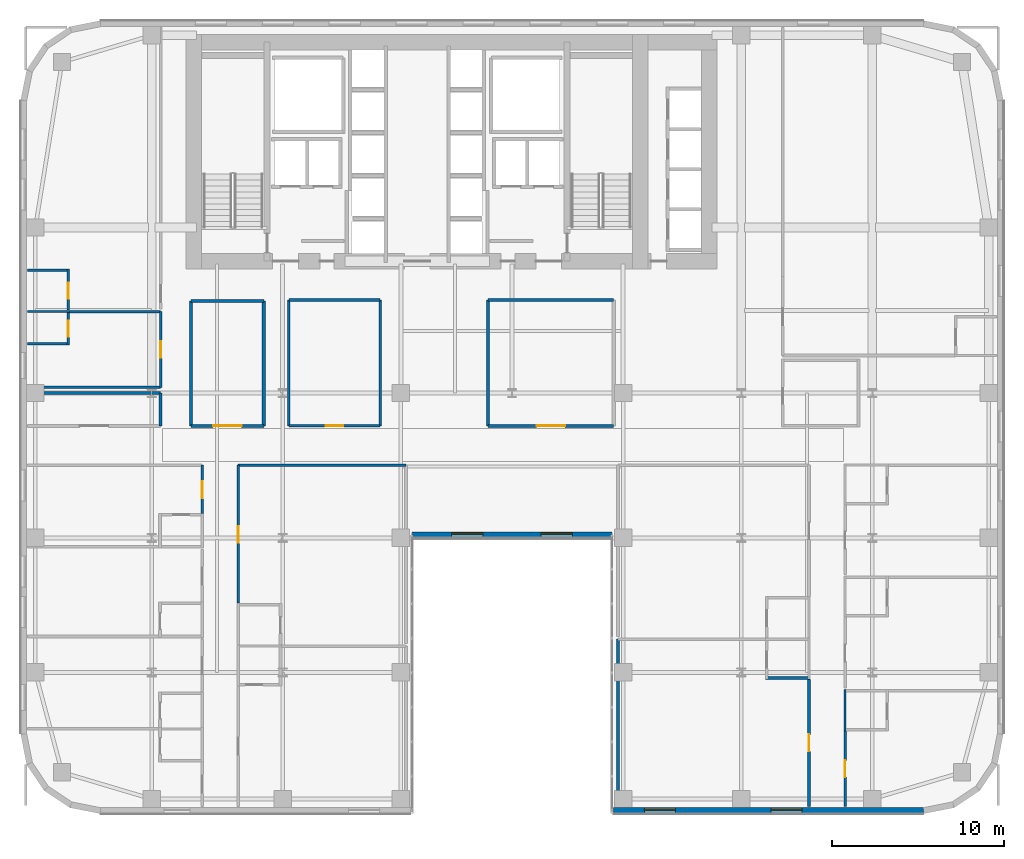
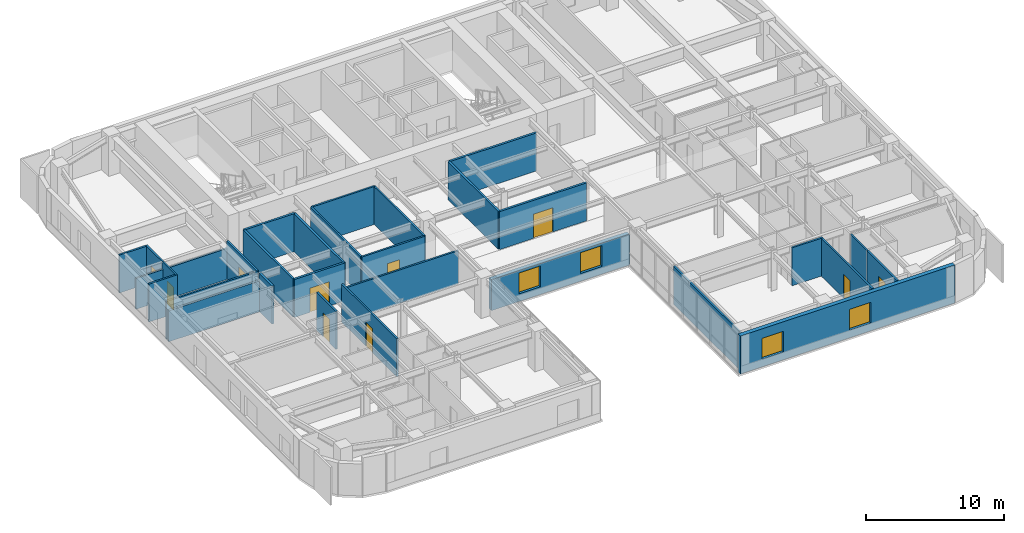
# One storey, part 15 of 25: 31 walls, 10 doors, 4 windows, 14 openings.
"""IFC4 building model written with IfcOpenShell, lengths in metres."""

from ifc_helpers import new_model, si_unit, direction, frame, frame_2d, origin, place, context, subcontext, project, spatial, rectangle, extrude, source, transform, mapped, material, layer, layer_set, type_object, type_shapes, element, fill, save


model = new_model("IFC4")

# Units and contexts
model_context = context("Model", 3, precision=1e-05, world=origin(), true_north=direction((0.0, 1.0)))
body_context = subcontext(model_context, "Body", "Model", "MODEL_VIEW")
ifc_project = project(units=[si_unit("LENGTHUNIT", "METRE"), si_unit("AREAUNIT", "SQUARE_METRE"), si_unit("VOLUMEUNIT", "CUBIC_METRE"), si_unit("PLANEANGLEUNIT", "RADIAN"), si_unit("MASSUNIT", "GRAM", prefix="KILO")], contexts=[model_context])

# Site, building, storey
site_placement = place(None, origin())
site = spatial("IfcSite", under=ifc_project, at=site_placement, CompositionType="ELEMENT")
building_placement = place(site_placement, origin())
building = spatial("IfcBuilding", under=site, at=building_placement, Name="Tolvann Quenvar Hotel", CompositionType="ELEMENT")
storey_placement = place(building_placement, frame((0.0, 0.0, 60.39990234375)))
storey = spatial("IfcBuildingStorey", under=building, at=storey_placement, Name="L14", CompositionType="ELEMENT", Elevation=60.39990234375)

# Wall, openings, windows
ifc_material_1 = material(Name="Kiln-fired red and buff architectural clay brickwork and terracotta masonry", Category="masonry")
ifc_layer_1 = layer(ifc_material_1, 0.35009765625)
ifc_layer_set_1 = layer_set([ifc_layer_1], Name="Kiln-fired red and buff architectural clay brickwork and terracotta masonry")
wall_type_1 = type_object("IfcWallType", Name="WALL_EXT_BRICK_350", PredefinedType="SOLIDWALL", material=ifc_layer_set_1)
wall_1_placement = place(storey_placement, frame((22.7099609375, 16.175048828125, 0.0), z_axis=(0.0, 0.0, 1.0), x_axis=(1.0, 0.0, 0.0)))
wall_1 = element("IfcWall", 1, at=wall_1_placement, inside=storey, type_object=wall_type_1, Name="Exterior Chicago Brick Wall L14-E06", PredefinedType="SOLIDWALL", context=body_context, shape_type="SweptSolid", body=[
    extrude(rectangle(XDim=11.580078125, YDim=0.35009765625, at=frame_2d((5.7900390625, 0.0))), origin(), (0.0, 0.0, 1.0), 2.748046875),
])
opening_1_placement = place(wall_1_placement, frame((2.294921875, 0.0, 0.679931640625)))
opening_1 = element("IfcOpeningElement", 2, at=opening_1_placement, cuts=wall_1, Name="Opening W-03", PredefinedType="OPENING", context=body_context, shape_type="SweptSolid", body=[
    extrude(rectangle(XDim=1.800048828125, YDim=1.85009765625, at=frame_2d((0.89990234375, 0.925048828125))), frame((0.0, 0.18505859375, 0.0), z_axis=(0.0, -1.0, 0.0), x_axis=(1.0, 0.0, 0.0)), (0.0, 0.0, 1.0), 0.3701171875),
])
opening_2_placement = place(wall_1_placement, frame((7.485107421875, 0.0, 0.679931640625)))
opening_2 = element("IfcOpeningElement", 3, at=opening_2_placement, cuts=wall_1, Name="Opening W-03", PredefinedType="OPENING", context=body_context, shape_type="SweptSolid", body=[
    extrude(rectangle(XDim=1.800048828125, YDim=1.85009765625, at=frame_2d((0.89990234375, 0.925048828125))), frame((0.0, 0.18505859375, 0.0), z_axis=(0.0, -1.0, 0.0), x_axis=(1.0, 0.0, 0.0)), (0.0, 0.0, 1.0), 0.3701171875),
])
ifc_material_2 = material(Name="Thermally broken bronze-anodised aluminium frame with double low-E glazing", Category="aluminium")
window_type = type_object("IfcWindowType", Name="WIN_CHI_1800x2050", PartitioningType="TRIPLE_PANEL_HORIZONTAL", PredefinedType="WINDOW", material=ifc_material_2)
shared_shape_1 = source(origin(), body_context, "Body", "SweptSolid", [
    extrude(rectangle(XDim=1.800048828125, YDim=1.85009765625, at=frame_2d((0.89990234375, 0.925048828125))), frame((0.0, 0.090087890625, 0.0), z_axis=(0.0, -1.0, 0.0), x_axis=(1.0, 0.0, 0.0)), (0.0, 0.0, 1.0), 0.06005859375),
])
type_shapes(window_type, [shared_shape_1])
window_1_placement = place(opening_1_placement, origin())
window_1 = element("IfcWindow", 4, at=window_1_placement, inside=storey, type_object=window_type, Name="Chicago Window W-03 (EW-L14-E06-W01)", OverallHeight=1.85009765625, OverallWidth=1.800048828125, PartitioningType="TRIPLE_PANEL_HORIZONTAL", PredefinedType="WINDOW", context=body_context, shape_type="MappedRepresentation", body=[
    mapped(shared_shape_1, transform((0.0, 0.0, 0.0), x_axis=(1.0, 0.0, 0.0), y_axis=(0.0, 1.0, 0.0), z_axis=(0.0, 0.0, 1.0), scale=1.0)),
])
fill(opening_1, window_1)
window_2_placement = place(opening_2_placement, origin())
window_2 = element("IfcWindow", 5, at=window_2_placement, inside=storey, type_object=window_type, Name="Chicago Window W-03 (EW-L14-E06-W02)", OverallHeight=1.85009765625, OverallWidth=1.800048828125, PartitioningType="TRIPLE_PANEL_HORIZONTAL", PredefinedType="WINDOW", context=body_context, shape_type="MappedRepresentation", body=[
    mapped(shared_shape_1, transform((0.0, 0.0, 0.0), x_axis=(1.0, 0.0, 0.0), y_axis=(0.0, 1.0, 0.0), z_axis=(0.0, 0.0, 1.0), scale=1.0)),
])
fill(opening_2, window_2)

wall_2_placement = place(storey_placement, frame((34.375, 0.175048828125, 0.0), z_axis=(0.0, 0.0, 1.0), x_axis=(1.0, 0.0, 0.0)))
wall_2 = element("IfcWall", 6, at=wall_2_placement, inside=storey, type_object=wall_type_1, Name="Exterior Chicago Brick Wall L14-E08", PredefinedType="SOLIDWALL", context=body_context, shape_type="SweptSolid", body=[
    extrude(rectangle(XDim=18.0078125, YDim=0.35009765625, at=frame_2d((9.00390625, 0.0))), origin(), (0.0, 0.0, 1.0), 3.3701171875),
])
opening_3_placement = place(wall_2_placement, frame((1.801025390625, 0.0, 0.679931640625)))
opening_3 = element("IfcOpeningElement", 7, at=opening_3_placement, cuts=wall_2, Name="Opening W-03", PredefinedType="OPENING", context=body_context, shape_type="SweptSolid", body=[
    extrude(rectangle(XDim=1.800048828125, YDim=1.85009765625, at=frame_2d((0.89990234375, 0.925048828125))), frame((0.0, 0.18505859375, 0.0), z_axis=(0.0, -1.0, 0.0), x_axis=(1.0, 0.0, 0.0)), (0.0, 0.0, 1.0), 0.3701171875),
])
opening_4_placement = place(wall_2_placement, frame((9.155029296875, 0.0, 0.679931640625)))
opening_4 = element("IfcOpeningElement", 8, at=opening_4_placement, cuts=wall_2, Name="Opening W-03", PredefinedType="OPENING", context=body_context, shape_type="SweptSolid", body=[
    extrude(rectangle(XDim=1.800048828125, YDim=1.85009765625, at=frame_2d((0.89990234375, 0.925048828125))), frame((0.0, 0.18505859375, 0.0), z_axis=(0.0, -1.0, 0.0), x_axis=(1.0, 0.0, 0.0)), (0.0, 0.0, 1.0), 0.3701171875),
])
window_3_placement = place(opening_3_placement, origin())
window_3 = element("IfcWindow", 9, at=window_3_placement, inside=storey, type_object=window_type, Name="Chicago Window W-03 (EW-L14-E08-W01)", OverallHeight=1.85009765625, OverallWidth=1.800048828125, PartitioningType="TRIPLE_PANEL_HORIZONTAL", PredefinedType="WINDOW", context=body_context, shape_type="MappedRepresentation", body=[
    mapped(shared_shape_1, transform((0.0, 0.0, 0.0), x_axis=(1.0, 0.0, 0.0), y_axis=(0.0, 1.0, 0.0), z_axis=(0.0, 0.0, 1.0), scale=1.0)),
])
fill(opening_3, window_3)
window_4_placement = place(opening_4_placement, origin())
window_4 = element("IfcWindow", 10, at=window_4_placement, inside=storey, type_object=window_type, Name="Chicago Window W-03 (EW-L14-E08-W02)", OverallHeight=1.85009765625, OverallWidth=1.800048828125, PartitioningType="TRIPLE_PANEL_HORIZONTAL", PredefinedType="WINDOW", context=body_context, shape_type="MappedRepresentation", body=[
    mapped(shared_shape_1, transform((0.0, 0.0, 0.0), x_axis=(1.0, 0.0, 0.0), y_axis=(0.0, 1.0, 0.0), z_axis=(0.0, 0.0, 1.0), scale=1.0)),
])
fill(opening_4, window_4)

# Walls
ifc_material_3 = material(Name="Acoustic twin-stud fire-rated gypsum plasterboard partition")
ifc_layer_2 = layer(ifc_material_3, 0.179931640625)
ifc_layer_set_2 = layer_set([ifc_layer_2], Name="Acoustic twin-stud fire-rated gypsum plasterboard partition")
wall_type_2 = type_object("IfcWallType", Name="WALL_PART_ACOUSTIC_180", PredefinedType="PARTITIONING", material=ifc_layer_set_2)
wall_3_placement = place(storey_placement, frame((0.405029296875, 24.39990234375, 0.0), z_axis=(0.0, 0.0, 1.0), x_axis=(1.0, 0.0, 0.0)))
element("IfcWall", 11, at=wall_3_placement, inside=storey, type_object=wall_type_2, Name="Interior Partition PT-SPC-L14-SAL-N", PredefinedType="PARTITIONING", context=body_context, shape_type="SweptSolid", body=[
    extrude(rectangle(XDim=7.715087890625, YDim=0.179931640625, at=frame_2d((3.857421875, 0.0))), origin(), (0.0, 0.0, 1.0), 2.748046875),
])
wall_4_placement = place(storey_placement, frame((8.1201171875, 22.5, 0.0), z_axis=(0.0, 0.0, 1.0), x_axis=(0.0, 1.0, 0.0)))
element("IfcWall", 12, at=wall_4_placement, inside=storey, type_object=wall_type_2, Name="Interior Partition PT-SPC-L14-SAL-E", PredefinedType="PARTITIONING", context=body_context, shape_type="SweptSolid", body=[
    extrude(rectangle(XDim=1.89990234375, YDim=0.179931640625, at=frame_2d((0.949951171875, 0.0))), origin(), (0.0, 0.0, 1.0), 3.3701171875),
])

# Wall, opening, door
wall_5_placement = place(storey_placement, frame((9.8798828125, 22.5, 0.0), z_axis=(0.0, 0.0, 1.0), x_axis=(1.0, 0.0, 0.0)))
wall_5 = element("IfcWall", 13, at=wall_5_placement, inside=storey, type_object=wall_type_2, Name="Interior Partition PT-SPC-L14-MSP-W-S", PredefinedType="PARTITIONING", context=body_context, shape_type="SweptSolid", body=[
    extrude(rectangle(XDim=4.22021484375, YDim=0.179931640625, at=frame_2d((2.110107421875, 0.0))), origin(), (0.0, 0.0, 1.0), 3.3701171875),
])
opening_5_placement = place(wall_5_placement, frame((1.284912109375, 0.0, 0.0)))
opening_5 = element("IfcOpeningElement", 14, at=opening_5_placement, cuts=wall_5, Name="Opening AD-01", PredefinedType="OPENING", context=body_context, shape_type="SweptSolid", body=[
    extrude(rectangle(XDim=1.64990234375, YDim=2.14990234375, at=frame_2d((0.824951171875, 1.074951171875))), frame((0.0, 0.10009765625, 0.0), z_axis=(0.0, -1.0, 0.0), x_axis=(1.0, 0.0, 0.0)), (0.0, 0.0, 1.0), 0.199951171875),
])
ifc_material_4 = material(Name="Solid-core American oak acoustic fire door leaf in steel frame", Category="steel")
door_type_1 = type_object("IfcDoorType", Name="DOOR_SALON_1650", OperationType="NOTDEFINED", PredefinedType="DOOR", material=ifc_material_4)
shared_shape_2 = source(origin(), body_context, "Body", "SweptSolid", [
    extrude(rectangle(XDim=1.64990234375, YDim=2.14990234375, at=frame_2d((0.824951171875, 1.074951171875))), frame((0.0, 0.02490234375, 0.0), z_axis=(0.0, -1.0, 0.0), x_axis=(1.0, 0.0, 0.0)), (0.0, 0.0, 1.0), 0.050048828125),
])
type_shapes(door_type_1, [shared_shape_2])
door_1_placement = place(opening_5_placement, origin())
door_1 = element("IfcDoor", 15, at=door_1_placement, inside=storey, type_object=door_type_1, Name="Interior Door DOOR-SPC-L14-MSP-W", OperationType="DOUBLE_DOOR_SINGLE_SWING", OverallHeight=2.14990234375, OverallWidth=1.64990234375, PredefinedType="DOOR", context=body_context, shape_type="MappedRepresentation", body=[
    mapped(shared_shape_2, transform((0.0, 0.0, 0.0), x_axis=(1.0, 0.0, 0.0), y_axis=(0.0, 1.0, 0.0), z_axis=(0.0, 0.0, 1.0), scale=1.0)),
])
fill(opening_5, door_1)

# Walls
wall_6_placement = place(storey_placement, frame((9.8798828125, 29.75, 0.0), z_axis=(0.0, 0.0, 1.0), x_axis=(1.0, 0.0, 0.0)))
element("IfcWall", 16, at=wall_6_placement, inside=storey, type_object=wall_type_2, Name="Interior Partition PT-SPC-L14-MSP-W-N", PredefinedType="PARTITIONING", context=body_context, shape_type="SweptSolid", body=[
    extrude(rectangle(XDim=4.22021484375, YDim=0.179931640625, at=frame_2d((2.110107421875, 0.0))), origin(), (0.0, 0.0, 1.0), 3.3701171875),
])
for number, where, z_axis, x_axis, name in (
    (17, (9.8798828125, 22.5, 0.0), (0.0, 0.0, 1.0), (0.0, 1.0, 0.0), "Interior Partition PT-SPC-L14-MSP-W-W"),
    (18, (14.10009765625, 22.5, 0.0), (0.0, 0.0, 1.0), (0.0, 1.0, 0.0), "Interior Partition PT-SPC-L14-MSP-W-E"),
):
    element("IfcWall", number, at=place(storey_placement, frame(where, z_axis=z_axis, x_axis=x_axis)), inside=storey, type_object=wall_type_2, Name=name, PredefinedType="PARTITIONING", context=body_context, shape_type="SweptSolid", body=[
        extrude(rectangle(XDim=7.25, YDim=0.179931640625, at=frame_2d((3.625, 0.0))), origin(), (0.0, 0.0, 1.0), 3.3701171875),
    ])

# Wall, opening, door
wall_7_placement = place(storey_placement, frame((27.10009765625, 22.5, 0.0), z_axis=(0.0, 0.0, 1.0), x_axis=(1.0, 0.0, 0.0)))
wall_7 = element("IfcWall", 19, at=wall_7_placement, inside=storey, type_object=wall_type_2, Name="Interior Partition PT-SPC-L14-MSP-C-S", PredefinedType="PARTITIONING", context=body_context, shape_type="SweptSolid", body=[
    extrude(rectangle(XDim=7.2998046875, YDim=0.179931640625, at=frame_2d((3.64990234375, 0.0))), origin(), (0.0, 0.0, 1.0), 3.3701171875),
])
opening_6_placement = place(wall_7_placement, frame((2.824951171875, 0.0, 0.0)))
opening_6 = element("IfcOpeningElement", 20, at=opening_6_placement, cuts=wall_7, Name="Opening AD-01", PredefinedType="OPENING", context=body_context, shape_type="SweptSolid", body=[
    extrude(rectangle(XDim=1.64990234375, YDim=2.14990234375, at=frame_2d((0.824951171875, 1.074951171875))), frame((0.0, 0.10009765625, 0.0), z_axis=(0.0, -1.0, 0.0), x_axis=(1.0, 0.0, 0.0)), (0.0, 0.0, 1.0), 0.199951171875),
])
door_2_placement = place(opening_6_placement, origin())
door_2 = element("IfcDoor", 21, at=door_2_placement, inside=storey, type_object=door_type_1, Name="Interior Door DOOR-SPC-L14-MSP-C", OperationType="DOUBLE_DOOR_SINGLE_SWING", OverallHeight=2.14990234375, OverallWidth=1.64990234375, PredefinedType="DOOR", context=body_context, shape_type="MappedRepresentation", body=[
    mapped(shared_shape_2, transform((0.0, 0.0, 0.0), x_axis=(1.0, 0.0, 0.0), y_axis=(0.0, 1.0, 0.0), z_axis=(0.0, 0.0, 1.0), scale=1.0)),
])
fill(opening_6, door_2)

# Walls
wall_8_placement = place(storey_placement, frame((27.10009765625, 29.800048828125, 0.0), z_axis=(0.0, 0.0, 1.0), x_axis=(1.0, 0.0, 0.0)))
element("IfcWall", 22, at=wall_8_placement, inside=storey, type_object=wall_type_2, Name="Interior Partition PT-SPC-L14-MSP-C-N", PredefinedType="PARTITIONING", context=body_context, shape_type="SweptSolid", body=[
    extrude(rectangle(XDim=7.2998046875, YDim=0.179931640625, at=frame_2d((3.64990234375, 0.0))), origin(), (0.0, 0.0, 1.0), 3.3701171875),
])
wall_9_placement = place(storey_placement, frame((27.10009765625, 22.5, 0.0), z_axis=(0.0, 0.0, 1.0), x_axis=(0.0, 1.0, 0.0)))
element("IfcWall", 23, at=wall_9_placement, inside=storey, type_object=wall_type_2, Name="Interior Partition PT-SPC-L14-MSP-C-W", PredefinedType="PARTITIONING", context=body_context, shape_type="SweptSolid", body=[
    extrude(rectangle(XDim=7.300048828125, YDim=0.179931640625, at=frame_2d((3.64990234375, 0.0))), origin(), (0.0, 0.0, 1.0), 3.3701171875),
])
ifc_material_5 = material(Name="Moisture-resistant acoustic plumbing wall assembly")
ifc_layer_3 = layer(ifc_material_5, 0.1201171875)
ifc_layer_set_3 = layer_set([ifc_layer_3], Name="Moisture-resistant acoustic plumbing wall assembly")
wall_type_3 = type_object("IfcWallType", Name="WALL_PART_BATH_120", PredefinedType="PLUMBINGWALL", material=ifc_layer_set_3)
wall_10_placement = place(storey_placement, frame((47.820068359375, 4.800048828125, 0.0), z_axis=(0.0, 0.0, 1.0), x_axis=(0.0, 1.0, 0.0)))
element("IfcWall", 24, at=wall_10_placement, inside=storey, type_object=wall_type_3, Name="Non-Rated Plumbing Partition PT-SPC-L14-ENS-EO01-W", PredefinedType="PLUMBINGWALL", context=body_context, shape_type="SweptSolid", body=[
    extrude(rectangle(XDim=2.389892578125, YDim=0.1201171875, at=frame_2d((1.19482421875, 0.0))), origin(), (0.0, 0.0, 1.0), 3.3701171875),
])
wall_11_placement = place(storey_placement, frame((0.405029296875, 29.1201171875, 0.0), z_axis=(0.0, 0.0, 1.0), x_axis=(1.0, 0.0, 0.0)))
element("IfcWall", 25, at=wall_11_placement, inside=storey, type_object=wall_type_3, Name="Non-Rated Plumbing Partition PT-SPC-L14-ENS-NW01-N", PredefinedType="PLUMBINGWALL", context=body_context, shape_type="SweptSolid", body=[
    extrude(rectangle(XDim=2.4150390625, YDim=0.1201171875, at=frame_2d((1.20751953125, 0.0))), origin(), (0.0, 0.0, 1.0), 2.748046875),
])
ifc_layer_4 = layer(ifc_material_3, 0.14990234375)
ifc_layer_set_4 = layer_set([ifc_layer_4], Name="Acoustic twin-stud fire-rated gypsum plasterboard partition")
wall_type_4 = type_object("IfcWallType", Name="WALL_PART_SUITE_150", PredefinedType="PARTITIONING", material=ifc_layer_set_4)
wall_12_placement = place(storey_placement, frame((43.2099609375, 7.8701171875, 0.0), z_axis=(0.0, 0.0, 1.0), x_axis=(1.0, 0.0, 0.0)))
element("IfcWall", 26, at=wall_12_placement, inside=storey, type_object=wall_type_4, Name="Interior Partition PT-SPC-L14-ENS-EI01-S", PredefinedType="PARTITIONING", context=body_context, shape_type="SweptSolid", body=[
    extrude(rectangle(XDim=2.590087890625, YDim=0.14990234375, at=frame_2d((1.294921875, 0.0))), origin(), (0.0, 0.0, 1.0), 3.3701171875),
])

# Wall, opening, door
wall_13_placement = place(storey_placement, frame((2.75, 27.199951171875, 0.0), z_axis=(0.0, 0.0, 1.0), x_axis=(0.0, 1.0, 0.0)))
wall_13 = element("IfcWall", 27, at=wall_13_placement, inside=storey, type_object=wall_type_4, Name="Interior Partition PT-SPC-L14-ENS-NW01-ENT", PredefinedType="PARTITIONING", context=body_context, shape_type="SweptSolid", body=[
    extrude(rectangle(XDim=1.989990234375, YDim=0.14990234375, at=frame_2d((0.9951171875, 0.0))), origin(), (0.0, 0.0, 1.0), 3.3701171875),
])
opening_7_placement = place(wall_13_placement, frame((0.465087890625, 0.0, 0.0)))
opening_7 = element("IfcOpeningElement", 28, at=opening_7_placement, cuts=wall_13, Name="Opening WD-01", PredefinedType="OPENING", context=body_context, shape_type="SweptSolid", body=[
    extrude(rectangle(XDim=0.919921875, YDim=2.010009765625, at=frame_2d((0.4599609375, 1.0048828125))), frame((0.0, 0.0849609375, 0.0), z_axis=(0.0, -1.0, 0.0), x_axis=(1.0, 0.0, 0.0)), (0.0, 0.0, 1.0), 0.169921875),
])
door_type_2 = type_object("IfcDoorType", Name="DOOR_WC_920", OperationType="NOTDEFINED", PredefinedType="DOOR", material=ifc_material_4)
shared_shape_3 = source(origin(), body_context, "Body", "SweptSolid", [
    extrude(rectangle(XDim=0.919921875, YDim=2.010009765625, at=frame_2d((0.4599609375, 1.0048828125))), frame((0.0, 0.02490234375, 0.0), z_axis=(0.0, -1.0, 0.0), x_axis=(1.0, 0.0, 0.0)), (0.0, 0.0, 1.0), 0.050048828125),
])
type_shapes(door_type_2, [shared_shape_3])
door_3_placement = place(opening_7_placement, origin())
door_3 = element("IfcDoor", 29, at=door_3_placement, inside=storey, type_object=door_type_2, Name="Interior Door DOOR-SPC-L14-ENS-NW01", OperationType="SINGLE_SWING_LEFT", OverallHeight=2.010009765625, OverallWidth=0.919921875, PredefinedType="DOOR", context=body_context, shape_type="MappedRepresentation", body=[
    mapped(shared_shape_3, transform((0.0, 0.0, 0.0), x_axis=(1.0, 0.0, 0.0), y_axis=(0.0, 1.0, 0.0), z_axis=(0.0, 0.0, 1.0), scale=1.0)),
])
fill(opening_7, door_3)

# Wall
wall_14_placement = place(storey_placement, frame((0.405029296875, 27.27001953125, 0.0), z_axis=(0.0, 0.0, 1.0), x_axis=(1.0, 0.0, 0.0)))
element("IfcWall", 30, at=wall_14_placement, inside=storey, type_object=wall_type_4, Name="Interior Partition PT-SPC-L14-ENS-NW01-S", PredefinedType="PARTITIONING", context=body_context, shape_type="SweptSolid", body=[
    extrude(rectangle(XDim=2.4150390625, YDim=0.14990234375, at=frame_2d((1.20751953125, 0.0))), origin(), (0.0, 0.0, 1.0), 3.3701171875),
])

# Wall, opening, door
wall_15_placement = place(storey_placement, frame((2.75, 29.2099609375, 0.0), z_axis=(0.0, 0.0, 1.0), x_axis=(0.0, 1.0, 0.0)))
wall_15 = element("IfcWall", 31, at=wall_15_placement, inside=storey, type_object=wall_type_4, Name="Interior Partition PT-SPC-L14-ENS-NW02-ENT", PredefinedType="PARTITIONING", context=body_context, shape_type="SweptSolid", body=[
    extrude(rectangle(XDim=2.39013671875, YDim=0.14990234375, at=frame_2d((1.195068359375, 0.0))), origin(), (0.0, 0.0, 1.0), 3.3701171875),
])
opening_8_placement = place(wall_15_placement, frame((0.6650390625, 0.0, 0.0)))
opening_8 = element("IfcOpeningElement", 32, at=opening_8_placement, cuts=wall_15, Name="Opening WD-01", PredefinedType="OPENING", context=body_context, shape_type="SweptSolid", body=[
    extrude(rectangle(XDim=0.919921875, YDim=2.010009765625, at=frame_2d((0.4599609375, 1.0048828125))), frame((0.0, 0.0849609375, 0.0), z_axis=(0.0, -1.0, 0.0), x_axis=(1.0, 0.0, 0.0)), (0.0, 0.0, 1.0), 0.169921875),
])
door_4_placement = place(opening_8_placement, origin())
door_4 = element("IfcDoor", 33, at=door_4_placement, inside=storey, type_object=door_type_2, Name="Interior Door DOOR-SPC-L14-ENS-NW02", OperationType="SINGLE_SWING_RIGHT", OverallHeight=2.010009765625, OverallWidth=0.919921875, PredefinedType="DOOR", context=body_context, shape_type="MappedRepresentation", body=[
    mapped(shared_shape_3, transform((0.0, 0.0, 0.0), x_axis=(1.0, 0.0, 0.0), y_axis=(0.0, 1.0, 0.0), z_axis=(0.0, 0.0, 1.0), scale=1.0)),
])
fill(opening_8, door_4)

# Wall
wall_16_placement = place(storey_placement, frame((0.405029296875, 31.530029296875, 0.0), z_axis=(0.0, 0.0, 1.0), x_axis=(1.0, 0.0, 0.0)))
element("IfcWall", 34, at=wall_16_placement, inside=storey, type_object=wall_type_4, Name="Interior Partition PT-SPC-L14-ENS-NW02-N", PredefinedType="PARTITIONING", context=body_context, shape_type="SweptSolid", body=[
    extrude(rectangle(XDim=2.4150390625, YDim=0.14990234375, at=frame_2d((1.20751953125, 0.0))), origin(), (0.0, 0.0, 1.0), 3.3701171875),
])

# Wall, opening, door
wall_17_placement = place(storey_placement, frame((10.530029296875, 17.409912109375, 0.0), z_axis=(0.0, 0.0, 1.0), x_axis=(0.0, 1.0, 0.0)))
wall_17 = element("IfcWall", 35, at=wall_17_placement, inside=storey, type_object=wall_type_4, Name="Interior Partition PT-SPC-L14-RM-WO04-ENT", PredefinedType="PARTITIONING", context=body_context, shape_type="SweptSolid", body=[
    extrude(rectangle(XDim=2.81005859375, YDim=0.14990234375, at=frame_2d((1.405029296875, 0.0))), origin(), (0.0, 0.0, 1.0), 3.3701171875),
])
opening_9_placement = place(wall_17_placement, frame((0.89501953125, 0.0, 0.0)))
opening_9 = element("IfcOpeningElement", 36, at=opening_9_placement, cuts=wall_17, Name="Opening SD-01", PredefinedType="OPENING", context=body_context, shape_type="SweptSolid", body=[
    extrude(rectangle(XDim=0.97998046875, YDim=2.1201171875, at=frame_2d((0.489990234375, 1.06005859375))), frame((0.0, 0.0849609375, 0.0), z_axis=(0.0, -1.0, 0.0), x_axis=(1.0, 0.0, 0.0)), (0.0, 0.0, 1.0), 0.169921875),
])
door_type_3 = type_object("IfcDoorType", Name="DOOR_SUITE_980", OperationType="NOTDEFINED", PredefinedType="DOOR", material=ifc_material_4)
shared_shape_4 = source(origin(), body_context, "Body", "SweptSolid", [
    extrude(rectangle(XDim=0.97998046875, YDim=2.1201171875, at=frame_2d((0.489990234375, 1.06005859375))), frame((0.0, 0.02490234375, 0.0), z_axis=(0.0, -1.0, 0.0), x_axis=(1.0, 0.0, 0.0)), (0.0, 0.0, 1.0), 0.050048828125),
])
type_shapes(door_type_3, [shared_shape_4])
door_5_placement = place(opening_9_placement, origin())
door_5 = element("IfcDoor", 37, at=door_5_placement, inside=storey, type_object=door_type_3, Name="Interior Door DOOR-SPC-L14-RM-WO04", OperationType="SINGLE_SWING_LEFT", OverallHeight=2.1201171875, OverallWidth=0.97998046875, PredefinedType="DOOR", context=body_context, shape_type="MappedRepresentation", body=[
    mapped(shared_shape_4, transform((0.0, 0.0, 0.0), x_axis=(1.0, 0.0, 0.0), y_axis=(0.0, 1.0, 0.0), z_axis=(0.0, 0.0, 1.0), scale=1.0)),
])
fill(opening_9, door_5)

wall_18_placement = place(storey_placement, frame((12.6201171875, 12.2099609375, 0.0), z_axis=(0.0, 0.0, 1.0), x_axis=(0.0, 1.0, 0.0)))
wall_18 = element("IfcWall", 38, at=wall_18_placement, inside=storey, type_object=wall_type_4, Name="Interior Partition PT-SPC-L14-RM-WI02-ENT", PredefinedType="PARTITIONING", context=body_context, shape_type="SweptSolid", body=[
    extrude(rectangle(XDim=8.010009765625, YDim=0.14990234375, at=frame_2d((4.0048828125, 0.0))), origin(), (0.0, 0.0, 1.0), 3.3701171875),
])
opening_10_placement = place(wall_18_placement, frame((3.4951171875, 0.0, 0.0)))
opening_10 = element("IfcOpeningElement", 39, at=opening_10_placement, cuts=wall_18, Name="Opening SD-01", PredefinedType="OPENING", context=body_context, shape_type="SweptSolid", body=[
    extrude(rectangle(XDim=0.97998046875, YDim=2.1201171875, at=frame_2d((0.489990234375, 1.06005859375))), frame((0.0, 0.0849609375, 0.0), z_axis=(0.0, -1.0, 0.0), x_axis=(1.0, 0.0, 0.0)), (0.0, 0.0, 1.0), 0.169921875),
])
door_6_placement = place(opening_10_placement, origin())
door_6 = element("IfcDoor", 40, at=door_6_placement, inside=storey, type_object=door_type_3, Name="Interior Door DOOR-SPC-L14-RM-WI02", OperationType="SINGLE_SWING_LEFT", OverallHeight=2.1201171875, OverallWidth=0.97998046875, PredefinedType="DOOR", context=body_context, shape_type="MappedRepresentation", body=[
    mapped(shared_shape_4, transform((0.0, 0.0, 0.0), x_axis=(1.0, 0.0, 0.0), y_axis=(0.0, 1.0, 0.0), z_axis=(0.0, 0.0, 1.0), scale=1.0)),
])
fill(opening_10, door_6)

# Wall
wall_19_placement = place(storey_placement, frame((12.6201171875, 20.219970703125, 0.0), z_axis=(0.0, 0.0, 1.0), x_axis=(1.0, 0.0, 0.0)))
element("IfcWall", 41, at=wall_19_placement, inside=storey, type_object=wall_type_4, Name="Interior Partition PT-SPC-L14-RM-WI02-E5", PredefinedType="PARTITIONING", context=body_context, shape_type="SweptSolid", body=[
    extrude(rectangle(XDim=9.72998046875, YDim=0.14990234375, at=frame_2d((4.864990234375, 0.0))), origin(), (0.0, 0.0, 1.0), 2.9541015625),
])

# Wall, opening, door
wall_20_placement = place(storey_placement, frame((45.72998046875, 0.405029296875, 0.0), z_axis=(0.0, 0.0, 1.0), x_axis=(0.0, 1.0, 0.0)))
wall_20 = element("IfcWall", 42, at=wall_20_placement, inside=storey, type_object=wall_type_4, Name="Interior Partition PT-SPC-L14-RM-EI01-ENT", PredefinedType="PARTITIONING", context=body_context, shape_type="SweptSolid", body=[
    extrude(rectangle(XDim=7.385009765625, YDim=0.14990234375, at=frame_2d((3.6923828125, 0.0))), origin(), (0.0, 0.0, 1.0), 3.3701171875),
])
opening_11_placement = place(wall_20_placement, frame((3.2099609375, 0.0, 0.0)))
opening_11 = element("IfcOpeningElement", 43, at=opening_11_placement, cuts=wall_20, Name="Opening SD-01", PredefinedType="OPENING", context=body_context, shape_type="SweptSolid", body=[
    extrude(rectangle(XDim=0.97998046875, YDim=2.1201171875, at=frame_2d((0.489990234375, 1.06005859375))), frame((0.0, 0.0849609375, 0.0), z_axis=(0.0, -1.0, 0.0), x_axis=(1.0, 0.0, 0.0)), (0.0, 0.0, 1.0), 0.169921875),
])
door_7_placement = place(opening_11_placement, origin())
door_7 = element("IfcDoor", 44, at=door_7_placement, inside=storey, type_object=door_type_3, Name="Interior Door DOOR-SPC-L14-RM-EI01", OperationType="SINGLE_SWING_RIGHT", OverallHeight=2.1201171875, OverallWidth=0.97998046875, PredefinedType="DOOR", context=body_context, shape_type="MappedRepresentation", body=[
    mapped(shared_shape_4, transform((0.0, 0.0, 0.0), x_axis=(1.0, 0.0, 0.0), y_axis=(0.0, 1.0, 0.0), z_axis=(0.0, 0.0, 1.0), scale=1.0)),
])
fill(opening_11, door_7)

# Wall
wall_21_placement = place(storey_placement, frame((34.64990234375, 0.405029296875, 0.0), z_axis=(0.0, 0.0, 1.0), x_axis=(0.0, 1.0, 0.0)))
element("IfcWall", 45, at=wall_21_placement, inside=storey, type_object=wall_type_4, Name="Interior Partition PT-SPC-L14-RM-EI01-E6", PredefinedType="PARTITIONING", context=body_context, shape_type="SweptSolid", body=[
    extrude(rectangle(XDim=9.715087890625, YDim=0.14990234375, at=frame_2d((4.857421875, 0.0))), origin(), (0.0, 0.0, 1.0), 3.3701171875),
])

# Wall, opening, door
wall_22_placement = place(storey_placement, frame((47.820068359375, 0.405029296875, 0.0), z_axis=(0.0, 0.0, 1.0), x_axis=(0.0, 1.0, 0.0)))
wall_22 = element("IfcWall", 46, at=wall_22_placement, inside=storey, type_object=wall_type_4, Name="Interior Partition PT-SPC-L14-RM-EO01-ENT", PredefinedType="PARTITIONING", context=body_context, shape_type="SweptSolid", body=[
    extrude(rectangle(XDim=4.385009765625, YDim=0.14990234375, at=frame_2d((2.1923828125, 0.0))), origin(), (0.0, 0.0, 1.0), 3.3701171875),
])
opening_12_placement = place(wall_22_placement, frame((1.7099609375, 0.0, 0.0)))
opening_12 = element("IfcOpeningElement", 47, at=opening_12_placement, cuts=wall_22, Name="Opening SD-01", PredefinedType="OPENING", context=body_context, shape_type="SweptSolid", body=[
    extrude(rectangle(XDim=0.97998046875, YDim=2.1201171875, at=frame_2d((0.489990234375, 1.06005859375))), frame((0.0, 0.0849609375, 0.0), z_axis=(0.0, -1.0, 0.0), x_axis=(1.0, 0.0, 0.0)), (0.0, 0.0, 1.0), 0.169921875),
])
door_8_placement = place(opening_12_placement, origin())
door_8 = element("IfcDoor", 48, at=door_8_placement, inside=storey, type_object=door_type_3, Name="Interior Door DOOR-SPC-L14-RM-EO01", OperationType="SINGLE_SWING_RIGHT", OverallHeight=2.1201171875, OverallWidth=0.97998046875, PredefinedType="DOOR", context=body_context, shape_type="MappedRepresentation", body=[
    mapped(shared_shape_4, transform((0.0, 0.0, 0.0), x_axis=(1.0, 0.0, 0.0), y_axis=(0.0, 1.0, 0.0), z_axis=(0.0, 0.0, 1.0), scale=1.0)),
])
fill(opening_12, door_8)

wall_23_placement = place(storey_placement, frame((8.1201171875, 24.72998046875, 0.0), z_axis=(0.0, 0.0, 1.0), x_axis=(0.0, 1.0, 0.0)))
wall_23 = element("IfcWall", 49, at=wall_23_placement, inside=storey, type_object=wall_type_4, Name="Interior Partition PT-SPC-L14-RM-NW01-ENT", PredefinedType="PARTITIONING", context=body_context, shape_type="SweptSolid", body=[
    extrude(rectangle(XDim=4.39013671875, YDim=0.14990234375, at=frame_2d((2.195068359375, 0.0))), origin(), (0.0, 0.0, 1.0), 3.3701171875),
])
opening_13_placement = place(wall_23_placement, frame((1.705078125, 0.0, 0.0)))
opening_13 = element("IfcOpeningElement", 50, at=opening_13_placement, cuts=wall_23, Name="Opening SD-01", PredefinedType="OPENING", context=body_context, shape_type="SweptSolid", body=[
    extrude(rectangle(XDim=0.97998046875, YDim=2.1201171875, at=frame_2d((0.489990234375, 1.06005859375))), frame((0.0, 0.0849609375, 0.0), z_axis=(0.0, -1.0, 0.0), x_axis=(1.0, 0.0, 0.0)), (0.0, 0.0, 1.0), 0.169921875),
])
door_9_placement = place(opening_13_placement, origin())
door_9 = element("IfcDoor", 51, at=door_9_placement, inside=storey, type_object=door_type_3, Name="Interior Door DOOR-SPC-L14-RM-NW01", OperationType="SINGLE_SWING_LEFT", OverallHeight=2.1201171875, OverallWidth=0.97998046875, PredefinedType="DOOR", context=body_context, shape_type="MappedRepresentation", body=[
    mapped(shared_shape_4, transform((0.0, 0.0, 0.0), x_axis=(1.0, 0.0, 0.0), y_axis=(0.0, 1.0, 0.0), z_axis=(0.0, 0.0, 1.0), scale=1.0)),
])
fill(opening_13, door_9)

# Walls
wall_24_placement = place(storey_placement, frame((0.405029296875, 24.72998046875, 0.0), z_axis=(0.0, 0.0, 1.0), x_axis=(1.0, 0.0, 0.0)))
element("IfcWall", 52, at=wall_24_placement, inside=storey, type_object=wall_type_4, Name="Interior Partition PT-SPC-L14-RM-NW01-E1", PredefinedType="PARTITIONING", context=body_context, shape_type="SweptSolid", body=[
    extrude(rectangle(XDim=7.715087890625, YDim=0.14990234375, at=frame_2d((3.857421875, 0.0))), origin(), (0.0, 0.0, 1.0), 3.3701171875),
])
wall_25_placement = place(storey_placement, frame((2.77001953125, 29.1201171875, 0.0), z_axis=(0.0, 0.0, 1.0), x_axis=(1.0, 0.0, 0.0)))
element("IfcWall", 53, at=wall_25_placement, inside=storey, type_object=wall_type_4, Name="Interior Partition PT-SPC-L14-RM-NW01-E3", PredefinedType="PARTITIONING", context=body_context, shape_type="SweptSolid", body=[
    extrude(rectangle(XDim=5.35009765625, YDim=0.14990234375, at=frame_2d((2.675048828125, 0.0))), origin(), (0.0, 0.0, 1.0), 2.748046875),
])

# Wall, opening, door
wall_26_placement = place(storey_placement, frame((15.550048828125, 22.5, 0.0), z_axis=(0.0, 0.0, 1.0), x_axis=(1.0, 0.0, 0.0)))
wall_26 = element("IfcWall", 54, at=wall_26_placement, inside=storey, type_object=wall_type_4, Name="Interior Partition PT-SPC-L14-MSP-N-S", PredefinedType="PARTITIONING", context=body_context, shape_type="SweptSolid", body=[
    extrude(rectangle(XDim=5.300048828125, YDim=0.14990234375, at=frame_2d((2.64990234375, 0.0))), origin(), (0.0, 0.0, 1.0), 3.3701171875),
])
opening_14_placement = place(wall_26_placement, frame((2.139892578125, 0.0, 0.0)))
opening_14 = element("IfcOpeningElement", 55, at=opening_14_placement, cuts=wall_26, Name="Opening HD-01", PredefinedType="OPENING", context=body_context, shape_type="SweptSolid", body=[
    extrude(rectangle(XDim=1.02001953125, YDim=2.030029296875, at=frame_2d((0.510009765625, 1.01513671875))), frame((0.0, 0.0849609375, 0.0), z_axis=(0.0, -1.0, 0.0), x_axis=(1.0, 0.0, 0.0)), (0.0, 0.0, 1.0), 0.169921875),
])
ifc_material_6 = material(Name="Pressed galvanised steel fire-rated door set", Category="steel")
door_type_4 = type_object("IfcDoorType", Name="DOOR_BOH_1020", OperationType="NOTDEFINED", PredefinedType="DOOR", material=ifc_material_6)
shared_shape_5 = source(origin(), body_context, "Body", "SweptSolid", [
    extrude(rectangle(XDim=1.02001953125, YDim=2.030029296875, at=frame_2d((0.510009765625, 1.01513671875))), frame((0.0, 0.02490234375, 0.0), z_axis=(0.0, -1.0, 0.0), x_axis=(1.0, 0.0, 0.0)), (0.0, 0.0, 1.0), 0.050048828125),
])
type_shapes(door_type_4, [shared_shape_5])
door_10_placement = place(opening_14_placement, origin())
door_10 = element("IfcDoor", 56, at=door_10_placement, inside=storey, type_object=door_type_4, Name="Interior Door DOOR-SPC-L14-MSP-N", OperationType="SINGLE_SWING_LEFT", OverallHeight=2.030029296875, OverallWidth=1.02001953125, PredefinedType="DOOR", context=body_context, shape_type="MappedRepresentation", body=[
    mapped(shared_shape_5, transform((0.0, 0.0, 0.0), x_axis=(1.0, 0.0, 0.0), y_axis=(0.0, 1.0, 0.0), z_axis=(0.0, 0.0, 1.0), scale=1.0)),
])
fill(opening_14, door_10)

# Walls
wall_27_placement = place(storey_placement, frame((15.550048828125, 29.800048828125, 0.0), z_axis=(0.0, 0.0, 1.0), x_axis=(1.0, 0.0, 0.0)))
element("IfcWall", 57, at=wall_27_placement, inside=storey, type_object=wall_type_4, Name="Interior Partition PT-SPC-L14-MSP-N-N", PredefinedType="PARTITIONING", context=body_context, shape_type="SweptSolid", body=[
    extrude(rectangle(XDim=5.300048828125, YDim=0.14990234375, at=frame_2d((2.64990234375, 0.0))), origin(), (0.0, 0.0, 1.0), 3.3701171875),
])
for number, where, z_axis, x_axis, name in (
    (58, (15.550048828125, 22.5, 0.0), (0.0, 0.0, 1.0), (0.0, 1.0, 0.0), "Interior Partition PT-SPC-L14-MSP-N-W"),
    (59, (20.85009765625, 22.5, 0.0), (0.0, 0.0, 1.0), (0.0, 1.0, 0.0), "Interior Partition PT-SPC-L14-MSP-N-E"),
):
    element("IfcWall", number, at=place(storey_placement, frame(where, z_axis=z_axis, x_axis=x_axis)), inside=storey, type_object=wall_type_4, Name=name, PredefinedType="PARTITIONING", context=body_context, shape_type="SweptSolid", body=[
        extrude(rectangle(XDim=7.300048828125, YDim=0.14990234375, at=frame_2d((3.64990234375, 0.0))), origin(), (0.0, 0.0, 1.0), 3.3701171875),
    ])

save(model, "model.ifc")
